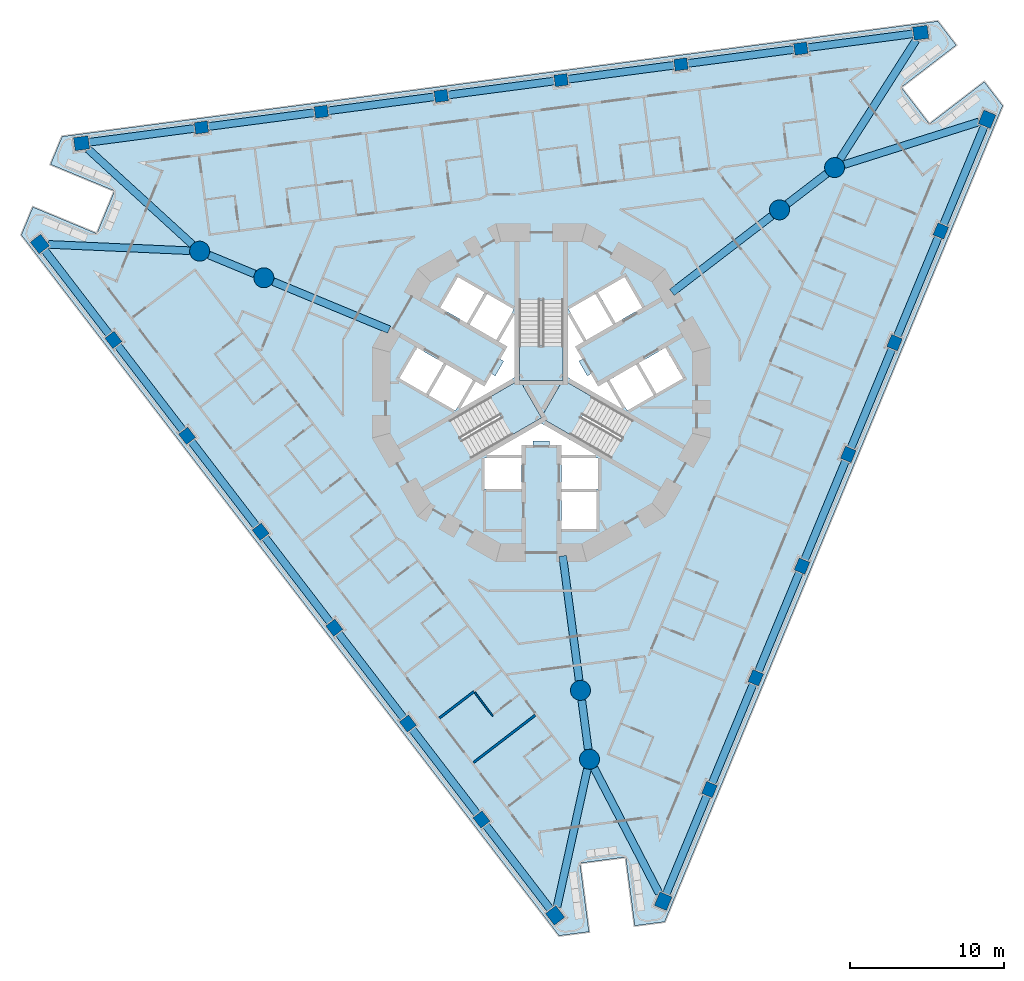
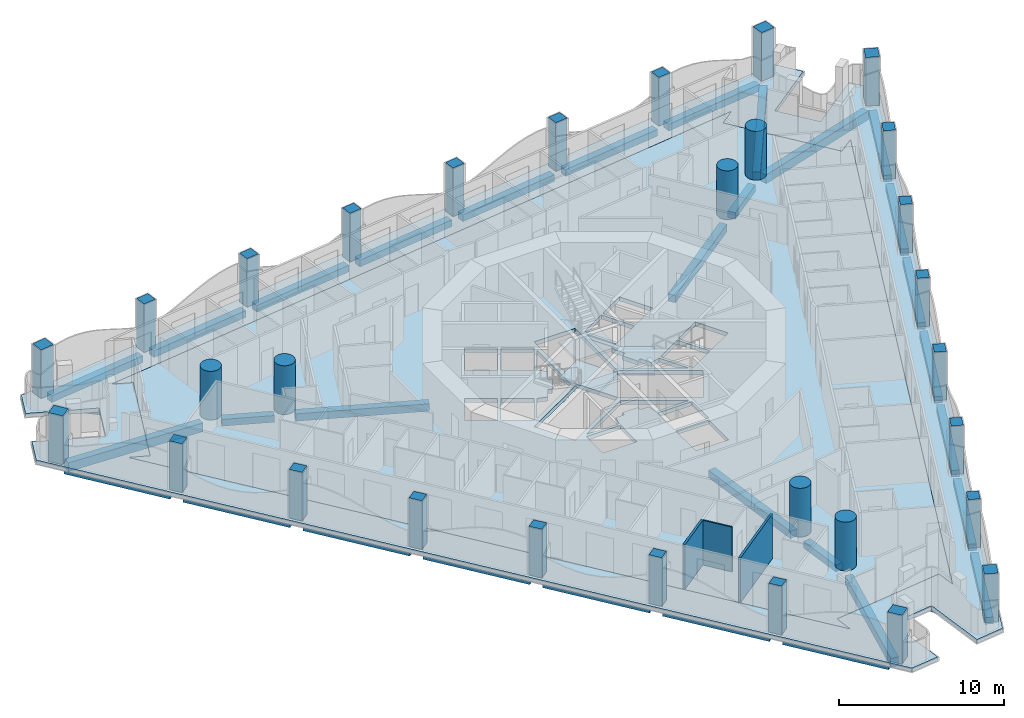
# One storey, part 1 of 19: 33 beams, 30 columns, 6 slabs, 3 walls, 3 elements without a shape of their own.
"""IFC4 building model written with IfcOpenShell, lengths in metres."""

from ifc_helpers import new_model, si_unit, direction, frame, frame_2d, origin, origin_2d, place, context, subcontext, project, spatial, polyline, rectangle, circle, outline, extrude, material, layer, layer_set, material_profile, profile_set, type_object, element, aggregate, save


model = new_model("IFC4")

# Units and contexts
model_context = context("Model", 3, precision=1e-05, world=origin(), true_north=direction((0.0, 1.0)))
body_context = subcontext(model_context, "Body", "Model", "MODEL_VIEW")
ifc_project = project(units=[si_unit("LENGTHUNIT", "METRE"), si_unit("AREAUNIT", "SQUARE_METRE"), si_unit("VOLUMEUNIT", "CUBIC_METRE"), si_unit("PLANEANGLEUNIT", "RADIAN"), si_unit("MASSUNIT", "GRAM", prefix="KILO")], contexts=[model_context])

# Site, building, storey
site_placement = place(None, origin())
site = spatial("IfcSite", under=ifc_project, at=site_placement, CompositionType="ELEMENT")
building_placement = place(site_placement, origin())
building = spatial("IfcBuilding", under=site, at=building_placement, Name="Trine Commons Tower", CompositionType="ELEMENT")
storey_placement = place(building_placement, frame((0.0, 0.0, 54.0)))
storey = spatial("IfcBuildingStorey", under=building, at=storey_placement, Name="L12", CompositionType="ELEMENT", Elevation=54.0)

# Columns
ifc_material_1 = material(Name="Concrete C80/95", Category="concrete")
ifc_material_profile_1 = material_profile(ifc_material_1, rectangle(XDim=0.85009765625, YDim=0.75, at=origin_2d()), Name="RC 850x750")
ifc_profile_set_1 = profile_set([ifc_material_profile_1], Name="Concrete C80/95")
column_type_1 = type_object("IfcColumnType", Name="RC column 850x750, C80/95", PredefinedType="COLUMN", material=ifc_profile_set_1)
for number, where, z_axis, x_axis, name in (
    (1, (76.1142578125, 34.74853515625, 0.0), (0.0, 0.0, 1.0), (-0.608761429009, 0.793353340291, 0.0), "Column PC2-02 L12"),
    (2, (71.3291015625, 40.984619140625, 0.0), (0.0, 0.0, 1.0), (-0.608761429009, 0.793353340291, 0.0), "Column PC2-03 L12"),
    (3, (66.5439453125, 47.220703125, 0.0), (0.0, 0.0, 1.0), (-0.608761429009, 0.793353340291, 0.0), "Column PC2-04 L12"),
    (4, (61.7587890625, 53.45703125, 0.0), (0.0, 0.0, 1.0), (-0.608761429009, 0.793353340291, 0.0), "Column PC2-05 L12"),
    (5, (56.9736328125, 59.693115234375, 0.0), (0.0, 0.0, 1.0), (-0.608761429009, 0.793353340291, 0.0), "Column PC2-06 L12"),
    (6, (52.1884765625, 65.92919921875, 0.0), (0.0, 0.0, 1.0), (-0.608761429009, 0.793353340291, 0.0), "Column PC2-07 L12"),
    (7, (57.9091796875, 79.740966796875, 0.0), (0.0, 0.0, 1.0), (0.991444861374, 0.13052619222, 0.0), "Column PC2-10 L12"),
    (8, (65.70263671875, 80.766845703125, 0.0), (0.0, 0.0, 1.0), (0.991444861374, 0.13052619222, 0.0), "Column PC2-11 L12"),
    (9, (73.495849609375, 81.79296875, 0.0), (0.0, 0.0, 1.0), (0.991444861374, 0.13052619222, 0.0), "Column PC2-12 L12"),
    (10, (81.2890625, 82.81884765625, 0.0), (0.0, 0.0, 1.0), (0.991444861374, 0.13052619222, 0.0), "Column PC2-13 L12"),
    (11, (89.08251953125, 83.844970703125, 0.0), (0.0, 0.0, 1.0), (0.991444861374, 0.13052619222, 0.0), "Column PC2-14 L12"),
    (12, (96.875732421875, 84.870849609375, 0.0), (0.0, 0.0, 1.0), (0.991444861374, 0.13052619222, 0.0), "Column PC2-15 L12"),
    (13, (105.976318359375, 73.010498046875, 0.0), (0.0, 0.0, 1.0), (0.382683432365, 0.923879532511, 0.0), "Column PC2-18 L12"),
    (14, (102.96826171875, 65.74853515625, 0.0), (0.0, 0.0, 1.0), (0.382683432365, 0.923879532511, 0.0), "Column PC2-19 L12"),
    (15, (99.960205078125, 58.486328125, 0.0), (0.0, 0.0, 1.0), (0.382683432365, 0.923879532511, 0.0), "Column PC2-20 L12"),
    (16, (96.9521484375, 51.22412109375, 0.0), (0.0, 0.0, 1.0), (0.382683432365, 0.923879532511, 0.0), "Column PC2-21 L12"),
    (17, (93.944091796875, 43.9619140625, 0.0), (0.0, 0.0, 1.0), (0.382683432365, 0.923879532511, 0.0), "Column PC2-22 L12"),
    (18, (90.935791015625, 36.69970703125, 0.0), (0.0, 0.0, 1.0), (0.382683432365, 0.923879532511, 0.0), "Column PC2-23 L12"),
):
    element("IfcColumn", number, at=place(storey_placement, frame(where, z_axis=z_axis, x_axis=x_axis)), inside=storey, type_object=column_type_1, Name=name, PredefinedType="COLUMN", context=body_context, shape_type="SweptSolid", body=[
        extrude(rectangle(XDim=0.85009765625, YDim=0.75, at=origin_2d()), origin(), (0.0, 0.0, 1.0), 3.60009765625),
    ])
ifc_material_profile_2 = material_profile(ifc_material_1, rectangle(XDim=0.949951171875, YDim=0.85009765625, at=origin_2d()), Name="RC 950x850")
ifc_profile_set_2 = profile_set([ifc_material_profile_2], Name="Concrete C80/95")
column_type_2 = type_object("IfcColumnType", Name="RC column 950x850, C80/95", PredefinedType="COLUMN", material=ifc_profile_set_2)
for number, where, z_axis, x_axis, name in (
    (19, (80.8994140625, 28.51220703125, 0.0), (0.0, 0.0, 1.0), (-0.608761429009, 0.793353340291, 0.0), "Column PC2-01 L12"),
    (20, (47.4033203125, 72.16552734375, 0.0), (0.0, 0.0, 1.0), (-0.608761429009, 0.793353340291, 0.0), "Column PC2-08 L12"),
    (21, (50.1162109375, 78.71484375, 0.0), (0.0, 0.0, 1.0), (0.991444861374, 0.13052619222, 0.0), "Column PC2-09 L12"),
    (22, (104.6689453125, 85.89697265625, 0.0), (0.0, 0.0, 1.0), (0.991444861374, 0.13052619222, 0.0), "Column PC2-16 L12"),
    (23, (108.984375, 80.272705078125, 0.0), (0.0, 0.0, 1.0), (0.382683432365, 0.923879532511, 0.0), "Column PC2-17 L12"),
    (24, (87.927734375, 29.4375, 0.0), (0.0, 0.0, 1.0), (0.382683432365, 0.923879532511, 0.0), "Column PC2-24 L12"),
):
    element("IfcColumn", number, at=place(storey_placement, frame(where, z_axis=z_axis, x_axis=x_axis)), inside=storey, type_object=column_type_2, Name=name, PredefinedType="COLUMN", context=body_context, shape_type="SweptSolid", body=[
        extrude(rectangle(XDim=0.949951171875, YDim=0.85009765625, at=origin_2d()), origin(), (0.0, 0.0, 1.0), 3.60009765625),
    ])
ifc_material_profile_3 = material_profile(ifc_material_1, circle(Radius=0.64990234375, at=origin_2d()), Name="RC round 1300")
ifc_profile_set_3 = profile_set([ifc_material_profile_3], Name="Concrete C80/95")
column_type_3 = type_object("IfcColumnType", Name="RC round column 1300 mm, C80/95", PredefinedType="COLUMN", material=ifc_profile_set_3)
for number, where, z_axis, x_axis, name in (
    (25, (82.548095703125, 43.14453125, 0.0), (0.0, 0.0, 1.0), (1.0, 0.0, 0.0), "Column WC2-1 L12"),
    (26, (83.1376953125, 38.6669921875, 0.0), (0.0, 0.0, 1.0), (1.0, 0.0, 0.0), "Column WC2-2 L12"),
    (27, (95.48828125, 74.384521484375, 0.0), (0.0, 0.0, 1.0), (1.0, 0.0, 0.0), "Column WC2-3 L12"),
    (28, (99.071044921875, 77.1337890625, 0.0), (0.0, 0.0, 1.0), (1.0, 0.0, 0.0), "Column WC2-4 L12"),
    (29, (61.963623046875, 69.970947265625, 0.0), (0.0, 0.0, 1.0), (1.0, 0.0, 0.0), "Column WC2-5 L12"),
    (30, (57.791259765625, 71.69921875, 0.0), (0.0, 0.0, 1.0), (1.0, 0.0, 0.0), "Column WC2-6 L12"),
):
    element("IfcColumn", number, at=place(storey_placement, frame(where, z_axis=z_axis, x_axis=x_axis)), inside=storey, type_object=column_type_3, Name=name, PredefinedType="COLUMN", context=body_context, shape_type="SweptSolid", body=[
        extrude(circle(Radius=0.64990234375, at=origin_2d()), origin(), (0.0, 0.0, 1.0), 3.60009765625),
    ])

# Beams
ifc_material_2 = material(Name="Concrete C50/60", Category="concrete")
ifc_material_profile_4 = material_profile(ifc_material_2, rectangle(XDim=0.5, YDim=0.5, at=origin_2d()), Name="RC 500x500")
ifc_profile_set_4 = profile_set([ifc_material_profile_4], Name="Concrete C50/60")
beam_type_1 = type_object("IfcBeamType", Name="RC beam 500x500, C50/60", PredefinedType="BEAM", material=ifc_profile_set_4)
beam_1_placement = place(storey_placement, frame((80.6103515625, 28.88916015625, -0.550048828125), z_axis=(-0.608757694977, 0.793356205501, 0.0), x_axis=(-0.793356205501, -0.608757694977, 0.0)))
element("IfcBeam", 31, at=beam_1_placement, inside=storey, type_object=beam_type_1, Name="Beam EB2-01 L12", PredefinedType="BEAM", context=body_context, shape_type="SweptSolid", body=[
    extrude(rectangle(XDim=0.5, YDim=0.5, at=origin_2d()), origin(), (0.0, 0.0, 1.0), 6.960693359375),
])
beam_2_placement = place(storey_placement, frame((75.855712890625, 35.085693359375, -0.550048828125), z_axis=(-0.608772912064, 0.793344528901, 0.0), x_axis=(-0.793344528901, -0.608772912064, 0.0)))
element("IfcBeam", 32, at=beam_2_placement, inside=storey, type_object=beam_type_1, Name="Beam EB2-02 L12", PredefinedType="BEAM", context=body_context, shape_type="SweptSolid", body=[
    extrude(rectangle(XDim=0.5, YDim=0.5, at=origin_2d()), origin(), (0.0, 0.0, 1.0), 7.010498046875),
])
beam_3_placement = place(storey_placement, frame((71.0703125, 41.322021484375, -0.550048828125), z_axis=(-0.608767812441, 0.793348442071, 0.0), x_axis=(-0.793348442071, -0.608767812441, 0.0)))
element("IfcBeam", 33, at=beam_3_placement, inside=storey, type_object=beam_type_1, Name="Beam EB2-03 L12", PredefinedType="BEAM", context=body_context, shape_type="SweptSolid", body=[
    extrude(rectangle(XDim=0.5, YDim=0.5, at=origin_2d()), origin(), (0.0, 0.0, 1.0), 7.01025390625),
])
for number, where, z_axis, x_axis, name in (
    (34, (66.285400390625, 47.55810546875, -0.550048828125), (-0.608772912064, 0.793344528901, 0.0), (-0.793344528901, -0.608772912064, 0.0), "Beam EB2-04 L12"),
    (35, (61.5, 53.794189453125, -0.550048828125), (-0.608750992772, 0.793361348188, 0.0), (-0.793361348188, -0.608750992772, 0.0), "Beam EB2-05 L12"),
):
    element("IfcBeam", number, at=place(storey_placement, frame(where, z_axis=z_axis, x_axis=x_axis)), inside=storey, type_object=beam_type_1, Name=name, PredefinedType="BEAM", context=body_context, shape_type="SweptSolid", body=[
        extrude(rectangle(XDim=0.5, YDim=0.5, at=origin_2d()), origin(), (0.0, 0.0, 1.0), 7.010498046875),
    ])
beam_4_placement = place(storey_placement, frame((56.71484375, 60.030517578125, -0.550048828125), z_axis=(-0.608789731625, 0.793331622128, 0.0), x_axis=(-0.793331622128, -0.608789731625, 0.0)))
element("IfcBeam", 36, at=beam_4_placement, inside=storey, type_object=beam_type_1, Name="Beam EB2-06 L12", PredefinedType="BEAM", context=body_context, shape_type="SweptSolid", body=[
    extrude(rectangle(XDim=0.5, YDim=0.5, at=origin_2d()), origin(), (0.0, 0.0, 1.0), 7.01025390625),
])
beam_5_placement = place(storey_placement, frame((51.9296875, 66.2666015625, -0.550048828125), z_axis=(-0.608757694977, 0.793356205501, 0.0), x_axis=(-0.793356205501, -0.608757694977, 0.0)))
element("IfcBeam", 37, at=beam_5_placement, inside=storey, type_object=beam_type_1, Name="Beam EB2-07 L12", PredefinedType="BEAM", context=body_context, shape_type="SweptSolid", body=[
    extrude(rectangle(XDim=0.5, YDim=0.5, at=origin_2d()), origin(), (0.0, 0.0, 1.0), 6.960693359375),
])
beam_6_placement = place(storey_placement, frame((50.5869140625, 78.77685546875, -0.550048828125), z_axis=(0.991446175382, 0.130516210946, 0.0), x_axis=(-0.130516210946, 0.991446175382, 0.0)))
element("IfcBeam", 38, at=beam_6_placement, inside=storey, type_object=beam_type_1, Name="Beam EB2-08 L12", PredefinedType="BEAM", context=body_context, shape_type="SweptSolid", body=[
    extrude(rectangle(XDim=0.5, YDim=0.5, at=origin_2d()), origin(), (0.0, 0.0, 1.0), 6.96044921875),
])
for number, where, z_axis, x_axis, name in (
    (39, (58.330810546875, 79.79638671875, -0.550048828125), (0.991444928767, 0.13052568032, 0.0), (-0.13052568032, 0.991444928767, 0.0), "Beam EB2-09 L12"),
    (40, (66.1240234375, 80.822509765625, -0.550048828125), (0.99144943492, 0.130491447984, 0.0), (-0.130491447984, 0.99144943492, 0.0), "Beam EB2-10 L12"),
    (41, (73.917236328125, 81.848388671875, -0.550048828125), (0.991444928767, 0.13052568032, 0.0), (-0.13052568032, 0.991444928767, 0.0), "Beam EB2-11 L12"),
    (42, (81.71044921875, 82.87451171875, -0.550048828125), (0.99144943492, 0.130491447984, 0.0), (-0.130491447984, 0.99144943492, 0.0), "Beam EB2-12 L12"),
    (43, (89.50390625, 83.900390625, -0.550048828125), (0.991444928767, 0.13052568032, 0.0), (-0.13052568032, 0.991444928767, 0.0), "Beam EB2-13 L12"),
):
    element("IfcBeam", number, at=place(storey_placement, frame(where, z_axis=z_axis, x_axis=x_axis)), inside=storey, type_object=beam_type_1, Name=name, PredefinedType="BEAM", context=body_context, shape_type="SweptSolid", body=[
        extrude(rectangle(XDim=0.5, YDim=0.5, at=origin_2d()), origin(), (0.0, 0.0, 1.0), 7.010498046875),
    ])
for number, where, z_axis, x_axis, name in (
    (44, (97.297119140625, 84.926513671875, -0.550048828125), (0.991446175382, 0.130516210946, 0.0), (-0.130516210946, 0.991446175382, 0.0), "Beam EB2-14 L12"),
    (45, (108.802490234375, 79.833984375, -0.550048828125), (-0.382671898974, -0.923884309714, 0.0), (0.923884309714, -0.382671898974, 0.0), "Beam EB2-15 L12"),
):
    element("IfcBeam", number, at=place(storey_placement, frame(where, z_axis=z_axis, x_axis=x_axis)), inside=storey, type_object=beam_type_1, Name=name, PredefinedType="BEAM", context=body_context, shape_type="SweptSolid", body=[
        extrude(rectangle(XDim=0.5, YDim=0.5, at=origin_2d()), origin(), (0.0, 0.0, 1.0), 6.96044921875),
    ])
beam_7_placement = place(storey_placement, frame((105.813720703125, 72.617919921875, -0.550048828125), z_axis=(-0.382693194178, -0.923875488976, 0.0), x_axis=(0.923875488976, -0.382693194178, 0.0)))
element("IfcBeam", 46, at=beam_7_placement, inside=storey, type_object=beam_type_1, Name="Beam EB2-16 L12", PredefinedType="BEAM", context=body_context, shape_type="SweptSolid", body=[
    extrude(rectangle(XDim=0.5, YDim=0.5, at=origin_2d()), origin(), (0.0, 0.0, 1.0), 7.010498046875),
])
for number, where, z_axis, x_axis, name in (
    (47, (102.8056640625, 65.35595703125, -0.550048828125), (-0.382680881742, -0.92388058901, 0.0), (0.92388058901, -0.382680881742, 0.0), "Beam EB2-17 L12"),
    (48, (99.797607421875, 58.09375, -0.550048828125), (-0.382680881742, -0.92388058901, 0.0), (0.92388058901, -0.382680881742, 0.0), "Beam EB2-18 L12"),
    (49, (96.78955078125, 50.83154296875, -0.550048828125), (-0.382680881742, -0.92388058901, 0.0), (0.92388058901, -0.382680881742, 0.0), "Beam EB2-19 L12"),
    (50, (93.781494140625, 43.5693359375, -0.550048828125), (-0.382710605355, -0.923868276622, 0.0), (0.923868276622, -0.382710605355, 0.0), "Beam EB2-20 L12"),
):
    element("IfcBeam", number, at=place(storey_placement, frame(where, z_axis=z_axis, x_axis=x_axis)), inside=storey, type_object=beam_type_1, Name=name, PredefinedType="BEAM", context=body_context, shape_type="SweptSolid", body=[
        extrude(rectangle(XDim=0.5, YDim=0.5, at=origin_2d()), origin(), (0.0, 0.0, 1.0), 7.0107421875),
    ])
beam_8_placement = place(storey_placement, frame((90.773193359375, 36.30712890625, -0.550048828125), z_axis=(-0.382671898974, -0.923884309714, 0.0), x_axis=(0.923884309714, -0.382671898974, 0.0)))
element("IfcBeam", 51, at=beam_8_placement, inside=storey, type_object=beam_type_1, Name="Beam EB2-21 L12", PredefinedType="BEAM", context=body_context, shape_type="SweptSolid", body=[
    extrude(rectangle(XDim=0.5, YDim=0.5, at=origin_2d()), origin(), (0.0, 0.0, 1.0), 6.96044921875),
])
beam_9_placement = place(storey_placement, frame((82.633056640625, 42.500732421875, -0.550048828125), z_axis=(0.130513398023, -0.991446545678, 0.0), x_axis=(0.991446545678, 0.130513398023, 0.0)))
element("IfcBeam", 52, at=beam_9_placement, inside=storey, type_object=beam_type_1, Name="Beam RB2-02 L12", PredefinedType="BEAM", context=body_context, shape_type="SweptSolid", body=[
    extrude(rectangle(XDim=0.5, YDim=0.5, at=origin_2d()), origin(), (0.0, 0.0, 1.0), 3.217529296875),
])
beam_10_placement = place(storey_placement, frame((96.00341796875, 74.77978515625, -0.550048828125), z_axis=(0.793368133848, 0.608742149185, 0.0), x_axis=(-0.608742149185, 0.793368133848, 0.0)))
element("IfcBeam", 53, at=beam_10_placement, inside=storey, type_object=beam_type_1, Name="Beam RB2-04 L12", PredefinedType="BEAM", context=body_context, shape_type="SweptSolid", body=[
    extrude(rectangle(XDim=0.5, YDim=0.5, at=origin_2d()), origin(), (0.0, 0.0, 1.0), 3.21728515625),
])
beam_11_placement = place(storey_placement, frame((61.363037109375, 70.2197265625, -0.550048828125), z_axis=(-0.923878970326, 0.382684789598, 0.0), x_axis=(-0.382684789598, -0.923878970326, 0.0)))
element("IfcBeam", 54, at=beam_11_placement, inside=storey, type_object=beam_type_1, Name="Beam RB2-06 L12", PredefinedType="BEAM", context=body_context, shape_type="SweptSolid", body=[
    extrude(rectangle(XDim=0.5, YDim=0.5, at=origin_2d()), origin(), (0.0, 0.0, 1.0), 3.216064453125),
])
ifc_material_profile_5 = material_profile(ifc_material_2, rectangle(XDim=0.5, YDim=0.550048828125, at=origin_2d()), Name="RC 500x550")
ifc_profile_set_5 = profile_set([ifc_material_profile_5], Name="Concrete C50/60")
beam_type_2 = type_object("IfcBeamType", Name="RC beam 500x550, C50/60", PredefinedType="BEAM", material=ifc_profile_set_5)
for number, where, z_axis, x_axis, name in (
    (55, (81.3974609375, 51.885009765625, -0.574951171875), (0.13051869661, -0.991445848161, 0.0), (0.991445848161, 0.13051869661, 0.0), "Beam RB2-01 L12"),
    (56, (88.494140625, 69.017578125, -0.574951171875), (0.79334357443, 0.608774155916, 0.0), (-0.608774155916, 0.79334357443, 0.0), "Beam RB2-03 L12"),
):
    element("IfcBeam", number, at=place(storey_placement, frame(where, z_axis=z_axis, x_axis=x_axis)), inside=storey, type_object=beam_type_2, Name=name, PredefinedType="BEAM", context=body_context, shape_type="SweptSolid", body=[
        extrude(rectangle(XDim=0.5, YDim=0.550048828125, at=origin_2d()), origin(), (0.0, 0.0, 1.0), 8.166748046875),
    ])
beam_12_placement = place(storey_placement, frame((70.1083984375, 66.59716796875, -0.574951171875), z_axis=(-0.923875444746, 0.382693300953, 0.0), x_axis=(-0.382693300953, -0.923875444746, 0.0)))
element("IfcBeam", 57, at=beam_12_placement, inside=storey, type_object=beam_type_2, Name="Beam RB2-05 L12", PredefinedType="BEAM", context=body_context, shape_type="SweptSolid", body=[
    extrude(rectangle(XDim=0.5, YDim=0.550048828125, at=origin_2d()), origin(), (0.0, 0.0, 1.0), 8.165771484375),
])
ifc_material_profile_6 = material_profile(ifc_material_2, rectangle(XDim=0.5, YDim=0.64990234375, at=origin_2d()), Name="RC 500x650")
ifc_profile_set_6 = profile_set([ifc_material_profile_6], Name="Concrete C50/60")
beam_type_3 = type_object("IfcBeamType", Name="RC beam 500x650, C50/60", PredefinedType="BEAM", material=ifc_profile_set_6)
for number, where, z_axis, x_axis, name in (
    (58, (47.9580078125, 72.140625, -0.625), (0.998993680757, -0.044851151696, 0.0), (0.044851151696, 0.998993680757, 0.0), "Beam CB2-01 L12"),
    (59, (50.52587890625, 78.340087890625, -0.625), (0.738114574549, -0.674675384788, 0.0), (0.674675384788, 0.738114574549, 0.0), "Beam CB2-02 L12"),
    (60, (104.369873046875, 85.428955078125, -0.625), (-0.538318035677, -0.842741770927, 0.0), (0.842741770927, -0.538318035677, 0.0), "Beam CB2-03 L12"),
):
    element("IfcBeam", number, at=place(storey_placement, frame(where, z_axis=z_axis, x_axis=x_axis)), inside=storey, type_object=beam_type_3, Name=name, PredefinedType="BEAM", context=body_context, shape_type="SweptSolid", body=[
        extrude(rectangle(XDim=0.5, YDim=0.64990234375, at=origin_2d()), origin(), (0.0, 0.0, 1.0), 9.19384765625),
    ])
beam_13_placement = place(storey_placement, frame((108.454833984375, 80.10498046875, -0.625), z_axis=(-0.953349995529, -0.301867166193, 0.0), x_axis=(0.301867166193, -0.953349995529, 0.0)))
element("IfcBeam", 61, at=beam_13_placement, inside=storey, type_object=beam_type_3, Name="Beam CB2-04 L12", PredefinedType="BEAM", context=body_context, shape_type="SweptSolid", body=[
    extrude(rectangle(XDim=0.5, YDim=0.64990234375, at=origin_2d()), origin(), (0.0, 0.0, 1.0), 9.193359375),
])
for number, where, z_axis, x_axis, name in (
    (62, (87.672119140625, 29.930419921875, -0.625), (-0.460652760363, 0.887580438253, 0.0), (-0.887580438253, -0.460652760363, 0.0), "Beam CB2-05 L12"),
    (63, (81.01904296875, 29.0546875, -0.625), (0.215234621965, 0.976562367444, 0.0), (-0.976562367444, 0.215234621965, 0.0), "Beam CB2-06 L12"),
):
    element("IfcBeam", number, at=place(storey_placement, frame(where, z_axis=z_axis, x_axis=x_axis)), inside=storey, type_object=beam_type_3, Name=name, PredefinedType="BEAM", context=body_context, shape_type="SweptSolid", body=[
        extrude(rectangle(XDim=0.5, YDim=0.64990234375, at=origin_2d()), origin(), (0.0, 0.0, 1.0), 9.193603515625),
    ])

# Slabs
ifc_layer_1 = layer(ifc_material_2, 0.300048828125)
ifc_layer_set_1 = layer_set([ifc_layer_1], Name="Concrete C50/60")
slab_type_1 = type_object("IfcSlabType", Name="Loggia slab 300 mm, C50/60", PredefinedType="FLOOR", material=ifc_layer_set_1)
slab_1_placement = place(storey_placement, frame((0.0, 0.0, -0.300048828125)))
element("IfcSlab", 64, at=slab_1_placement, inside=storey, type_object=slab_type_1, Name="Loggia slab L12", PredefinedType="FLOOR", context=body_context, shape_type="SweptSolid", body=[
    extrude(outline(polyline([(88.02294921875, 28.099365234375), (109.998046875, 81.15185546875), (108.80224609375, 82.710205078125), (105.232177734375, 79.970703125), (103.406005859375, 82.3505859375), (106.97607421875, 85.090087890625), (105.780517578125, 86.6484375), (48.847900390625, 79.153076171875), (48.096435546875, 77.33837890625), (52.25390625, 75.616455078125), (51.105712890625, 72.8447265625), (46.948486328125, 74.56689453125), (46.19677734375, 72.752197265625), (81.154052734375, 27.195068359375), (83.101318359375, 27.451416015625), (82.513916015625, 31.912841796875), (85.48828125, 32.304443359375), (86.07568359375, 27.843017578125), (88.02294921875, 28.099365234375)]), holes=[polyline([(79.99658203125, 32.6455078125), (79.8212890625, 33.97900390625), (87.554443359375, 34.997314453125), (87.72998046875, 33.663818359375), (105.856201171875, 77.42431640625), (104.789306640625, 76.605712890625), (100.041015625, 82.793701171875), (101.10791015625, 83.612548828125), (54.14697265625, 77.429931640625), (55.3896484375, 76.915283203125), (52.40478515625, 69.708984375), (51.162109375, 70.2236328125), (79.99658203125, 32.6455078125)])]), origin(), (0.0, 0.0, 1.0), 0.300048828125),
])
ifc_layer_2 = layer(ifc_material_2, 0.300048828125)
ifc_layer_set_2 = layer_set([ifc_layer_2], Name="Concrete C50/60")
slab_type_2 = type_object("IfcSlabType", Name="PT flat slab 300 mm, C50/60", PredefinedType="FLOOR", material=ifc_layer_set_2)
slab_2_placement = place(storey_placement, frame((0.0, 0.0, -0.300048828125)))
element("IfcSlab", 65, at=slab_2_placement, inside=storey, type_object=slab_type_2, Name="Floor slab L12", PredefinedType="FLOOR", context=body_context, shape_type="SweptSolid", body=[
    extrude(outline(polyline([(51.162109375, 70.2236328125), (79.99658203125, 32.6455078125), (79.8212890625, 33.97900390625), (87.554443359375, 34.997314453125), (87.72998046875, 33.663818359375), (105.856201171875, 77.42431640625), (104.789306640625, 76.605712890625), (100.041015625, 82.793701171875), (101.10791015625, 83.612548828125), (54.14697265625, 77.429931640625), (55.3896484375, 76.915283203125), (52.40478515625, 69.708984375), (51.162109375, 70.2236328125)]), holes=[polyline([(76.300048828125, 56.25), (78.699951171875, 56.25), (78.699951171875, 58.25), (76.300048828125, 58.25), (76.300048828125, 56.25)]), polyline([(81.14990234375, 59.10009765625), (81.300048828125, 58.449951171875), (83.56494140625, 58.449951171875), (80.0, 60.508056640625), (76.43505859375, 58.449951171875), (78.699951171875, 58.449951171875), (78.85009765625, 59.10009765625), (79.449951171875, 59.10009765625), (79.449951171875, 59.360107421875), (80.550048828125, 59.360107421875), (80.550048828125, 59.10009765625), (81.14990234375, 59.10009765625)]), polyline([(80.0, 60.8544921875), (84.4755859375, 58.2705078125), (85.900390625, 60.73876953125), (81.425048828125, 63.32275390625), (81.425048828125, 68.490478515625), (78.574951171875, 68.490478515625), (78.574951171875, 63.32275390625), (74.099609375, 60.73876953125), (75.5244140625, 58.2705078125), (80.0, 60.8544921875)]), polyline([(73.83740234375, 64.325927734375), (72.687255859375, 62.333984375), (74.41943359375, 61.333984375), (75.5693359375, 63.325927734375), (73.83740234375, 64.325927734375)]), polyline([(71.93212890625, 65.426025390625), (70.781982421875, 63.43408203125), (72.51416015625, 62.43408203125), (73.6640625, 64.426025390625), (71.93212890625, 65.426025390625)]), polyline([(76.781005859375, 63.722900390625), (76.381103515625, 63.031005859375), (75.742919921875, 63.22607421875), (74.7099609375, 61.43798828125), (78.27490234375, 63.49609375), (78.27490234375, 67.612060546875), (77.242919921875, 65.823974609375), (77.73095703125, 65.368896484375), (77.3310546875, 64.676025390625), (77.555908203125, 64.5458984375), (77.006103515625, 63.593994140625), (76.781005859375, 63.722900390625)]), polyline([(76.4873046875, 68.916015625), (75.33740234375, 66.924072265625), (77.0693359375, 65.924072265625), (78.219482421875, 67.916015625), (76.4873046875, 68.916015625)]), polyline([(74.58203125, 70.015869140625), (73.43212890625, 68.02392578125), (75.1640625, 67.02392578125), (76.314208984375, 69.015869140625), (74.58203125, 70.015869140625)]), polyline([(81.300048828125, 53.64990234375), (83.60009765625, 53.64990234375), (83.60009765625, 56.050048828125), (81.300048828125, 56.050048828125), (81.300048828125, 53.64990234375)]), polyline([(81.300048828125, 56.25), (83.699951171875, 56.25), (83.699951171875, 58.25), (81.300048828125, 58.25), (81.300048828125, 56.25)]), polyline([(87.312744140625, 62.333984375), (86.16259765625, 64.325927734375), (84.4306640625, 63.325927734375), (85.58056640625, 61.333984375), (87.312744140625, 62.333984375)]), polyline([(89.218017578125, 63.43408203125), (88.06787109375, 65.426025390625), (86.3359375, 64.426025390625), (87.48583984375, 62.43408203125), (89.218017578125, 63.43408203125)]), polyline([(83.243896484375, 63.738037109375), (82.993896484375, 63.593994140625), (82.444091796875, 64.5458984375), (82.72705078125, 64.7099609375), (82.281005859375, 65.549072265625), (82.757080078125, 65.823974609375), (81.72509765625, 67.612060546875), (81.72509765625, 63.49609375), (85.2900390625, 61.43798828125), (84.257080078125, 63.22607421875), (83.618896484375, 63.031005859375), (83.243896484375, 63.738037109375)]), polyline([(82.9306640625, 65.924072265625), (84.66259765625, 66.924072265625), (83.5126953125, 68.916015625), (81.780517578125, 67.916015625), (82.9306640625, 65.924072265625)]), polyline([(84.8359375, 67.02392578125), (86.56787109375, 68.02392578125), (85.41796875, 70.015869140625), (83.685791015625, 69.015869140625), (84.8359375, 67.02392578125)])]), origin(), (0.0, 0.0, 1.0), 0.300048828125),
])
slab_3_placement = place(storey_placement, frame((0.0, 0.0, -0.300048828125)))
element("IfcSlab", 66, at=slab_3_placement, inside=storey, type_object=slab_type_2, Name="Floor slab L12 2", PredefinedType="FLOOR", context=body_context, shape_type="SweptSolid", body=[
    extrude(outline(polyline([(78.61328125, 63.300537109375), (80.0, 60.89892578125), (81.38671875, 63.300537109375), (78.61328125, 63.300537109375)])), origin(), (0.0, 0.0, 1.0), 0.300048828125),
])

# Stair, slab
stair_type = type_object("IfcStairType", Name="Exit stair, dog-leg, 24 risers of 150 mm", PredefinedType="HALF_TURN_STAIR", material=ifc_material_2)
stair_1_placement = place(storey_placement, origin())
stair_1 = element("IfcStair", 67, at=stair_1_placement, inside=storey, type_object=stair_type, Name="L12 Exit stair ST1A", PredefinedType="HALF_TURN_STAIR")
ifc_layer_3 = layer(ifc_material_2, 0.199951171875)
ifc_layer_set_3 = layer_set([ifc_layer_3], Name="Concrete C50/60")
slab_type_3 = type_object("IfcSlabType", Name="Stair landing slab 200 mm, C50/60", PredefinedType="LANDING", material=ifc_layer_set_3)
slab_4_placement = place(storey_placement, frame((0.0, 0.0, 1.60009765625)))
slab_4 = element("IfcSlab", 68, at=slab_4_placement, type_object=slab_type_3, Name="ST1A landing 1", PredefinedType="LANDING", context=body_context, shape_type="SweptSolid", body=[
    extrude(outline(polyline([(78.574951171875, 65.570556640625), (78.574951171875, 63.300537109375), (81.425048828125, 63.300537109375), (81.425048828125, 65.570556640625), (78.574951171875, 65.570556640625)])), origin(), (0.0, 0.0, 1.0), 0.199951171875),
])
aggregate(stair_1, [slab_4])

stair_2_placement = place(storey_placement, origin())
stair_2 = element("IfcStair", 69, at=stair_2_placement, inside=storey, type_object=stair_type, Name="L12 Exit stair ST2A", PredefinedType="HALF_TURN_STAIR")
slab_5_placement = place(storey_placement, frame((0.0, 0.0, 1.60009765625)))
slab_5 = element("IfcSlab", 70, at=slab_5_placement, type_object=slab_type_3, Name="ST2A landing 1", PredefinedType="LANDING", context=body_context, shape_type="SweptSolid", body=[
    extrude(outline(polyline([(78.05322265625, 59.730712890625), (80.019287109375, 60.86572265625), (78.59423828125, 63.333740234375), (76.628173828125, 62.19873046875), (78.05322265625, 59.730712890625)])), origin(), (0.0, 0.0, 1.0), 0.199951171875),
])
aggregate(stair_2, [slab_5])

stair_3_placement = place(storey_placement, origin())
stair_3 = element("IfcStair", 71, at=stair_3_placement, inside=storey, type_object=stair_type, Name="L12 Exit stair ST3A", PredefinedType="HALF_TURN_STAIR")
slab_6_placement = place(storey_placement, frame((0.0, 0.0, 1.60009765625)))
slab_6 = element("IfcSlab", 72, at=slab_6_placement, type_object=slab_type_3, Name="ST3A landing 1", PredefinedType="LANDING", context=body_context, shape_type="SweptSolid", body=[
    extrude(outline(polyline([(83.371826171875, 62.19873046875), (81.40576171875, 63.333740234375), (79.980712890625, 60.86572265625), (81.94677734375, 59.730712890625), (83.371826171875, 62.19873046875)])), origin(), (0.0, 0.0, 1.0), 0.199951171875),
])
aggregate(stair_3, [slab_6])

# Walls
ifc_material_3 = material(Name="Gypsum plasterboard on steel stud", Category="steel")
ifc_layer_4 = layer(ifc_material_3, 0.14990234375)
ifc_layer_set_4 = layer_set([ifc_layer_4], Name="Gypsum plasterboard on steel stud")
wall_type_1 = type_object("IfcWallType", Name="Unit and corridor wall 150 mm, EI 60", PredefinedType="PARTITIONING", material=ifc_layer_set_4)
wall_1_placement = place(storey_placement, frame((73.373779296875, 41.34228515625, 0.0), z_axis=(0.0, 0.0, 1.0), x_axis=(0.793546848587, 0.608509161063, 0.0)))
element("IfcWall", 73, at=wall_1_placement, inside=storey, type_object=wall_type_1, Name="Partition 064", PredefinedType="PARTITIONING", context=body_context, shape_type="SweptSolid", body=[
    extrude(rectangle(XDim=2.83935546875, YDim=0.14990234375, at=frame_2d((1.419677734375, 0.0))), origin(), (0.0, 0.0, 1.0), 3.300048828125),
])
wall_2_placement = place(storey_placement, frame((75.5927734375, 38.451416015625, 0.0), z_axis=(0.0, 0.0, 1.0), x_axis=(0.793302827183, 0.608827253318, 0.0)))
element("IfcWall", 74, at=wall_2_placement, inside=storey, type_object=wall_type_1, Name="Partition 070", PredefinedType="PARTITIONING", context=body_context, shape_type="SweptSolid", body=[
    extrude(rectangle(XDim=5.0634765625, YDim=0.14990234375, at=frame_2d((2.53173828125, 0.0))), origin(), (0.0, 0.0, 1.0), 3.300048828125),
])
ifc_layer_5 = layer(ifc_material_3, 0.10009765625)
ifc_layer_set_5 = layer_set([ifc_layer_5], Name="Gypsum plasterboard on steel stud")
wall_type_2 = type_object("IfcWallType", Name="Unit partition 100 mm, no rating", PredefinedType="PARTITIONING", material=ifc_layer_set_5)
wall_3_placement = place(storey_placement, frame((75.672607421875, 43.010498046875, 0.0), z_axis=(0.0, 0.0, 1.0), x_axis=(0.608790940556, -0.793330694412, 0.0)))
element("IfcWall", 75, at=wall_3_placement, inside=storey, type_object=wall_type_2, Name="Partition 071", PredefinedType="PARTITIONING", context=body_context, shape_type="SweptSolid", body=[
    extrude(rectangle(XDim=1.9248046875, YDim=0.10009765625, at=frame_2d((0.96240234375, 0.0))), origin(), (0.0, 0.0, 1.0), 3.300048828125),
])

save(model, "model.ifc")
